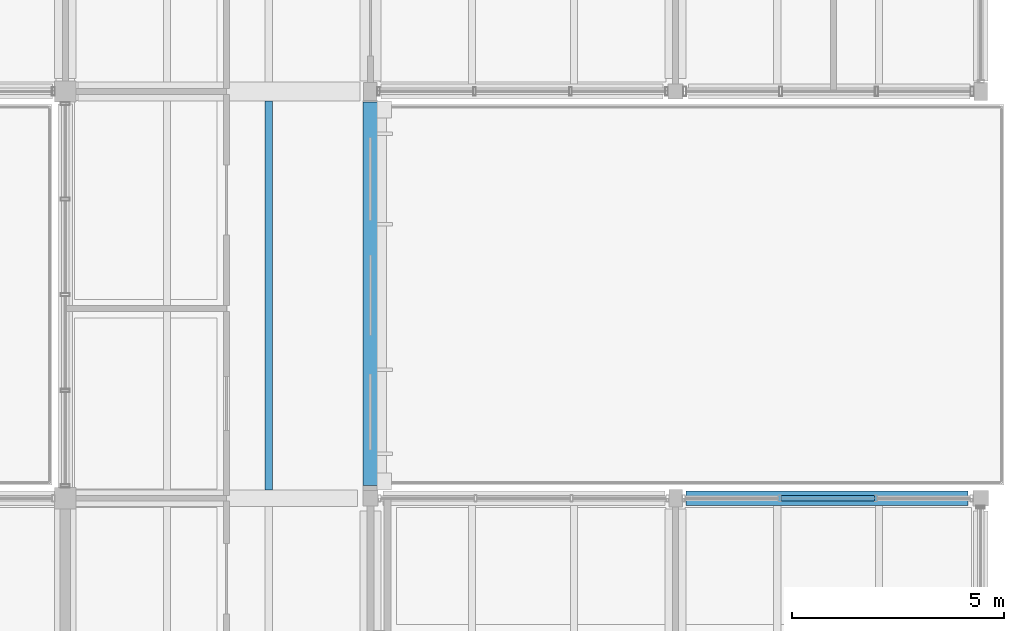
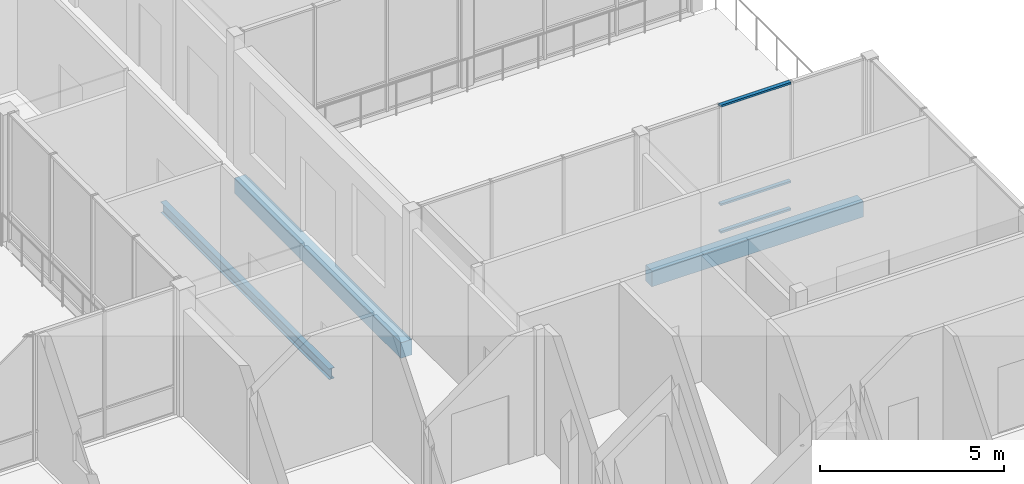
# One storey, part 86 of 146: 3 beams, 3 members, 1 element without a shape of its own.
"""IFC4 building model written with IfcOpenShell, lengths in metres."""

from ifc_helpers import new_model, si_unit, direction, frame, origin, origin_2d, place, context, subcontext, project, spatial, rectangle, hollow_rectangle, i_section, extrude, material, material_profile, profile_set, type_object, element, aggregate, save


model = new_model("IFC4")

# Units and contexts
model_context = context("Model", 3, precision=1e-05, world=origin(), true_north=direction((0.0, 1.0)))
body_context = subcontext(model_context, "Body", "Model", "MODEL_VIEW")
ifc_project = project(units=[si_unit("LENGTHUNIT", "METRE"), si_unit("AREAUNIT", "SQUARE_METRE"), si_unit("VOLUMEUNIT", "CUBIC_METRE"), si_unit("PLANEANGLEUNIT", "RADIAN"), si_unit("MASSUNIT", "GRAM", prefix="KILO")], contexts=[model_context])

# Site, building, storey
site_placement = place(None, origin())
site = spatial("IfcSite", under=ifc_project, at=site_placement, CompositionType="ELEMENT")
building_placement = place(site_placement, origin())
building = spatial("IfcBuilding", under=site, at=building_placement, Name="Hawrajan Terrace Health Centre", CompositionType="ELEMENT")
storey_placement = place(building_placement, frame((0.0, 0.0, 4.5)))
storey = spatial("IfcBuildingStorey", under=building, at=storey_placement, Name="L01", CompositionType="ELEMENT", Elevation=4.5)

# Curtain wall, members
ifc_material_1 = material(Name="Anodized bronze aluminium and low-E solar glazing", Category="aluminium")
curtain_wall_type = type_object("IfcCurtainWallType", Name="CW_Garden_SeriesF2", PredefinedType="USERDEFINED", material=ifc_material_1)
curtain_wall_placement = place(storey_placement, origin())
curtain_wall = element("IfcCurtainWall", 1, at=curtain_wall_placement, inside=storey, type_object=curtain_wall_type, Name="Curtain wall CW-L01-111", ObjectType="UNITISED CURTAIN WALL", PredefinedType="USERDEFINED")
ifc_material_2 = material(Name="Anodized bronze aluminium 6063-T6", Category="aluminium")
ifc_material_profile_1 = material_profile(ifc_material_2, hollow_rectangle(XDim=0.06494140625, YDim=0.1201171875, WallThickness=0.00341796875, at=origin_2d()), Name="CW TRN 65x120")
ifc_profile_set_1 = profile_set([ifc_material_profile_1], Name="Anodized bronze aluminium 6063-T6")
member_type = type_object("IfcMemberType", Name="CWTransom_65x120", PredefinedType="USERDEFINED", material=ifc_profile_set_1)
member_1_placement = place(storey_placement, frame((160.68408203125, 27.199951171875, 0.032470703125), z_axis=(1.0, 0.0, 0.0), x_axis=(0.0, 0.0, 1.0)))
member_1 = element("IfcMember", 2, at=member_1_placement, type_object=member_type, Name="Transom CW-L01-111-T2-1", ObjectType="TRANSOM", PredefinedType="USERDEFINED", context=body_context, shape_type="SweptSolid", body=[
    extrude(hollow_rectangle(XDim=0.06494140625, YDim=0.1201171875, WallThickness=0.00341796875, at=origin_2d()), origin(), (0.0, 0.0, 1.0), 2.2119140625),
])
member_2_placement = place(storey_placement, frame((160.68408203125, 27.199951171875, 0.949951171875), z_axis=(1.0, 0.0, 0.0), x_axis=(0.0, 0.0, 1.0)))
member_2 = element("IfcMember", 3, at=member_2_placement, type_object=member_type, Name="Transom CW-L01-111-T2-2", ObjectType="TRANSOM", PredefinedType="USERDEFINED", context=body_context, shape_type="SweptSolid", body=[
    extrude(hollow_rectangle(XDim=0.06494140625, YDim=0.1201171875, WallThickness=0.00341796875, at=origin_2d()), origin(), (0.0, 0.0, 1.0), 2.2119140625),
])
member_3_placement = place(storey_placement, frame((160.68408203125, 27.199951171875, 4.2275390625), z_axis=(1.0, 0.0, 0.0), x_axis=(0.0, 0.0, 1.0)))
member_3 = element("IfcMember", 4, at=member_3_placement, type_object=member_type, Name="Transom CW-L01-111-T2-3", ObjectType="TRANSOM", PredefinedType="USERDEFINED", context=body_context, shape_type="SweptSolid", body=[
    extrude(hollow_rectangle(XDim=0.06494140625, YDim=0.1201171875, WallThickness=0.00341796875, at=origin_2d()), origin(), (0.0, 0.0, 1.0), 2.2119140625),
])
aggregate(curtain_wall, [member_1, member_2, member_3])

# Beams
ifc_material_3 = material(Name="Concrete C40/50", Category="concrete")
ifc_material_profile_2 = material_profile(ifc_material_3, rectangle(XDim=0.35009765625, YDim=0.52001953125, at=origin_2d()), Name="RC SP 350x520")
ifc_profile_set_2 = profile_set([ifc_material_profile_2], Name="Concrete C40/50")
beam_type_1 = type_object("IfcBeamType", Name="RCSpandrel_350x520", PredefinedType="SPANDREL", material=ifc_profile_set_2)
beam_1_placement = place(storey_placement, frame((158.449951171875, 27.199951171875, -0.659912109375), z_axis=(1.0, 0.0, 0.0), x_axis=(0.0, 1.0, 0.0)))
element("IfcBeam", 5, at=beam_1_placement, inside=storey, type_object=beam_type_1, Name="Beam BM-X-L01-E-21-Y4", PredefinedType="SPANDREL", context=body_context, shape_type="SweptSolid", body=[
    extrude(rectangle(XDim=0.35009765625, YDim=0.52001953125, at=origin_2d()), origin(), (0.0, 0.0, 1.0), 6.650146484375),
])
beam_2_placement = place(storey_placement, frame((151.0, 27.5, -0.659912109375), z_axis=(0.0, 1.0, 0.0), x_axis=(-1.0, 0.0, 0.0)))
element("IfcBeam", 6, at=beam_2_placement, inside=storey, type_object=beam_type_1, Name="Beam BM-Y-L01-E-X20-4", PredefinedType="SPANDREL", context=body_context, shape_type="SweptSolid", body=[
    extrude(rectangle(XDim=0.35009765625, YDim=0.52001953125, at=origin_2d()), origin(), (0.0, 0.0, 1.0), 9.050048828125),
])
ifc_material_4 = material(Name="Steel S355", Category="steel")
ifc_material_profile_3 = material_profile(ifc_material_4, i_section(OverallWidth=0.169921875, OverallDepth=0.360107421875, WebThickness=0.008056640625, FlangeThickness=0.0126953125, FilletRadius=0.01806640625, at=origin_2d()), Name="IPE 360")
ifc_profile_set_3 = profile_set([ifc_material_profile_3], Name="Steel S355")
beam_type_2 = type_object("IfcBeamType", Name="SteelBeam_IPE360", PredefinedType="BEAM", material=ifc_profile_set_3)
beam_3_placement = place(storey_placement, frame((148.60009765625, 27.39990234375, -0.580078125), z_axis=(0.0, 1.0, 0.0), x_axis=(-1.0, 0.0, 0.0)))
element("IfcBeam", 7, at=beam_3_placement, inside=storey, type_object=beam_type_2, Name="Secondary joist JST-L01-E-19-4-2", PredefinedType="BEAM", context=body_context, shape_type="SweptSolid", body=[
    extrude(i_section(OverallWidth=0.169921875, OverallDepth=0.360107421875, WebThickness=0.008056640625, FlangeThickness=0.0126953125, FilletRadius=0.01806640625, at=origin_2d()), origin(), (0.0, 0.0, 1.0), 9.175048828125),
])

save(model, "model.ifc")
